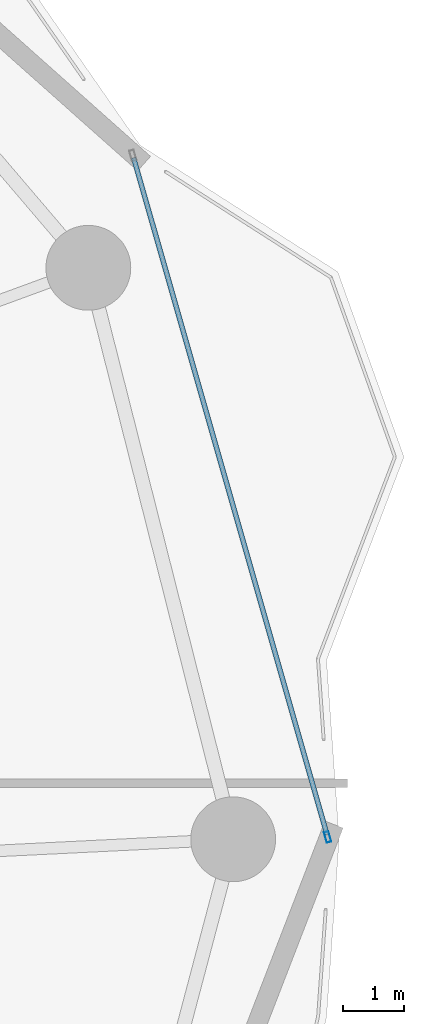
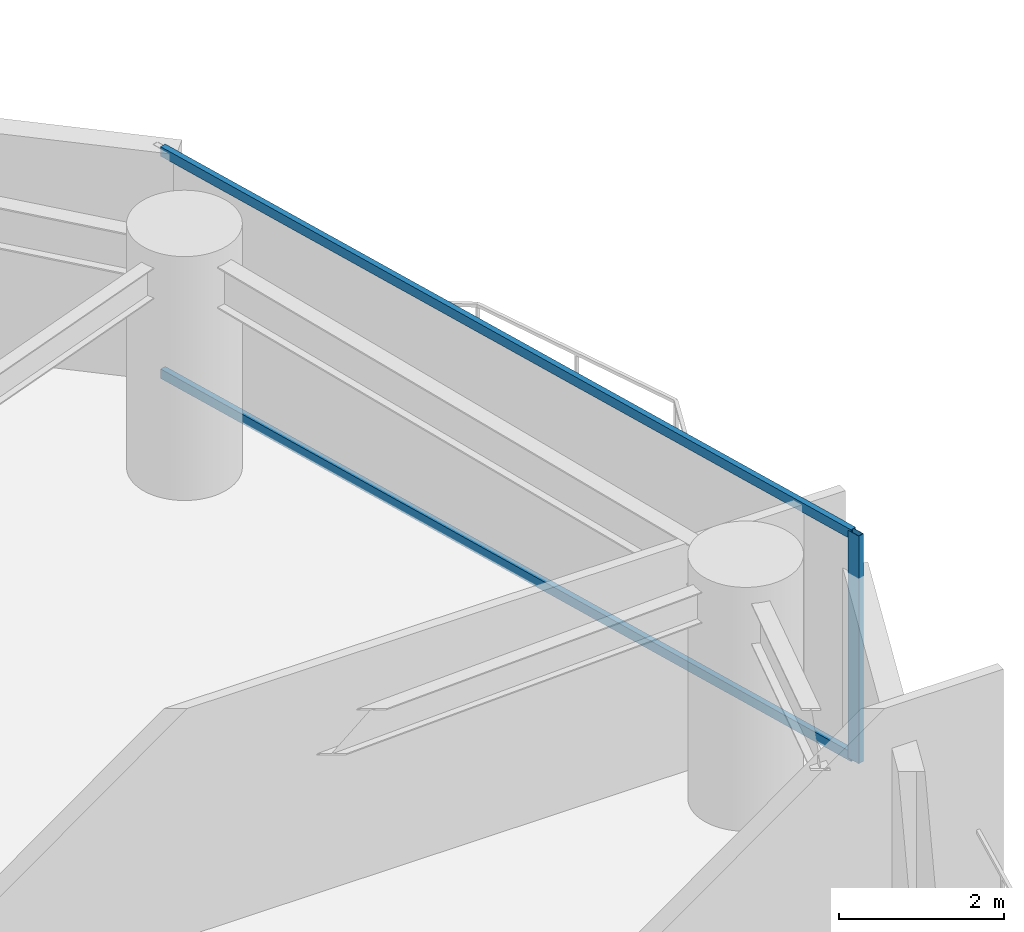
# One storey, part 24 of 31: 3 members, 1 element without a shape of its own.
"""IFC4 building model written with IfcOpenShell, lengths in metres."""

from ifc_helpers import new_model, si_unit, direction, frame, origin, origin_2d, place, context, subcontext, project, spatial, hollow_rectangle, extrude, material, layer, layer_set, material_profile, profile_set, type_object, element, aggregate, save


model = new_model("IFC4")

# Units and contexts
model_context = context("Model", 3, precision=1e-05, world=origin(), true_north=direction((0.0, 1.0)))
body_context = subcontext(model_context, "Body", "Model", "MODEL_VIEW")
ifc_project = project(units=[si_unit("LENGTHUNIT", "METRE"), si_unit("AREAUNIT", "SQUARE_METRE"), si_unit("VOLUMEUNIT", "CUBIC_METRE"), si_unit("PLANEANGLEUNIT", "RADIAN"), si_unit("MASSUNIT", "GRAM", prefix="KILO")], contexts=[model_context])

# Site, building, storey
site_placement = place(None, origin())
site = spatial("IfcSite", under=ifc_project, at=site_placement, CompositionType="ELEMENT")
building_placement = place(site_placement, origin())
building = spatial("IfcBuilding", under=site, at=building_placement, Name="Kazevale Care Tower and Concert Hall", CompositionType="ELEMENT")
storey_placement = place(building_placement, frame((0.0, 0.0, 81.60009765625)))
storey = spatial("IfcBuildingStorey", under=building, at=storey_placement, Name="L21", CompositionType="ELEMENT", Elevation=81.60009765625)

# Curtain wall, members
ifc_material_1 = material(Name="Aluminium 6063-T6 and Low-E Glass", Category="aluminium")
ifc_layer = layer(ifc_material_1, 0.179931640625)
ifc_layer_set = layer_set([ifc_layer], Name="Aluminium 6063-T6 and Low-E Glass")
curtain_wall_type = type_object("IfcCurtainWallType", Name="Waist & Upper Residential Curtain Wall CW-4", PredefinedType="NOTDEFINED", material=ifc_layer_set)
curtain_wall_placement = place(storey_placement, origin())
curtain_wall = element("IfcCurtainWall", 1, at=curtain_wall_placement, inside=storey, type_object=curtain_wall_type, Name="cw:L21:f18", PredefinedType="NOTDEFINED")
ifc_material_2 = material(Name="Aluminium 6063-T6", Category="aluminium")
ifc_material_profile_1 = material_profile(ifc_material_2, hollow_rectangle(XDim=0.080078125, YDim=0.179931640625, WallThickness=0.0048828125, at=origin_2d()), Name="ALU80x180x5")
ifc_profile_set_1 = profile_set([ifc_material_profile_1], Name="Aluminium 6063-T6")
member_type_1 = type_object("IfcMemberType", Name="CW-4 Mullion ALU80x180x5", PredefinedType="MULLION", material=ifc_profile_set_1)
member_1_placement = place(storey_placement, frame((78.009033203125, 38.03857421875, 0.0), z_axis=(0.0, 0.0, 1.0), x_axis=(0.961520742858, 0.274732344388, 0.0)))
member_1 = element("IfcMember", 2, at=member_1_placement, type_object=member_type_1, Name="CW-4 mullion 2", PredefinedType="MULLION", context=body_context, shape_type="SweptSolid", body=[
    extrude(hollow_rectangle(XDim=0.080078125, YDim=0.179931640625, WallThickness=0.0048828125, at=origin_2d()), origin(), (0.0, 0.0, 1.0), 3.35986328125),
])
ifc_material_profile_2 = material_profile(ifc_material_2, hollow_rectangle(XDim=0.080078125, YDim=0.139892578125, WallThickness=0.00390625, at=origin_2d()), Name="ALU80x140x4")
ifc_profile_set_2 = profile_set([ifc_material_profile_2], Name="Aluminium 6063-T6")
member_type_2 = type_object("IfcMemberType", Name="CW-4 Transom ALU80x140x4", PredefinedType="USERDEFINED", material=ifc_profile_set_2)
member_2_placement = place(storey_placement, frame((74.806884765625, 49.2451171875, 0.039794921875), z_axis=(0.274740560587, -0.961518395231, 0.0), x_axis=(0.961518395231, 0.274740560587, 0.0)))
member_2 = element("IfcMember", 3, at=member_2_placement, type_object=member_type_2, Name="CW-4 transom 1.1", ObjectType="TRANSOM", PredefinedType="USERDEFINED", context=body_context, shape_type="SweptSolid", body=[
    extrude(hollow_rectangle(XDim=0.080078125, YDim=0.139892578125, WallThickness=0.00390625, at=origin_2d()), origin(), (0.0, 0.0, 1.0), 11.615234375),
])
member_3_placement = place(storey_placement, frame((74.806884765625, 49.2451171875, 3.31982421875), z_axis=(0.274740560587, -0.961518395231, 0.0), x_axis=(0.961518395231, 0.274740560587, 0.0)))
member_3 = element("IfcMember", 4, at=member_3_placement, type_object=member_type_2, Name="CW-4 transom 1.2", ObjectType="TRANSOM", PredefinedType="USERDEFINED", context=body_context, shape_type="SweptSolid", body=[
    extrude(hollow_rectangle(XDim=0.080078125, YDim=0.139892578125, WallThickness=0.00390625, at=origin_2d()), origin(), (0.0, 0.0, 1.0), 11.615234375),
])
aggregate(curtain_wall, [member_1, member_2, member_3])

save(model, "model.ifc")
